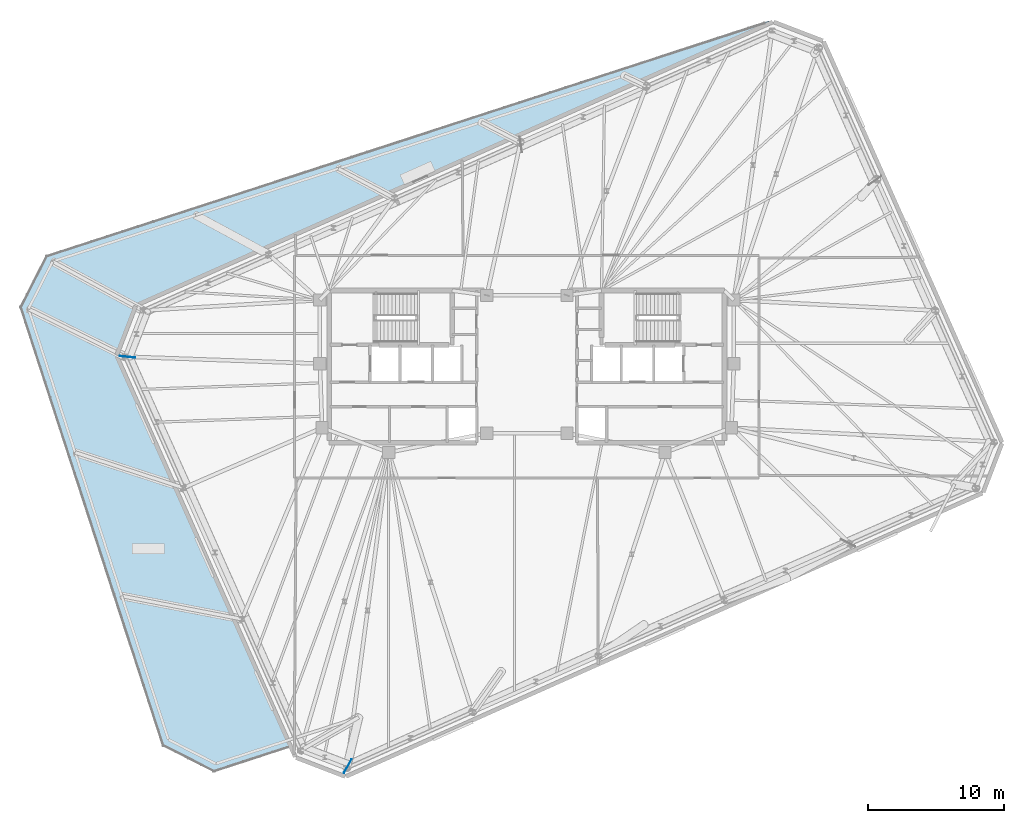
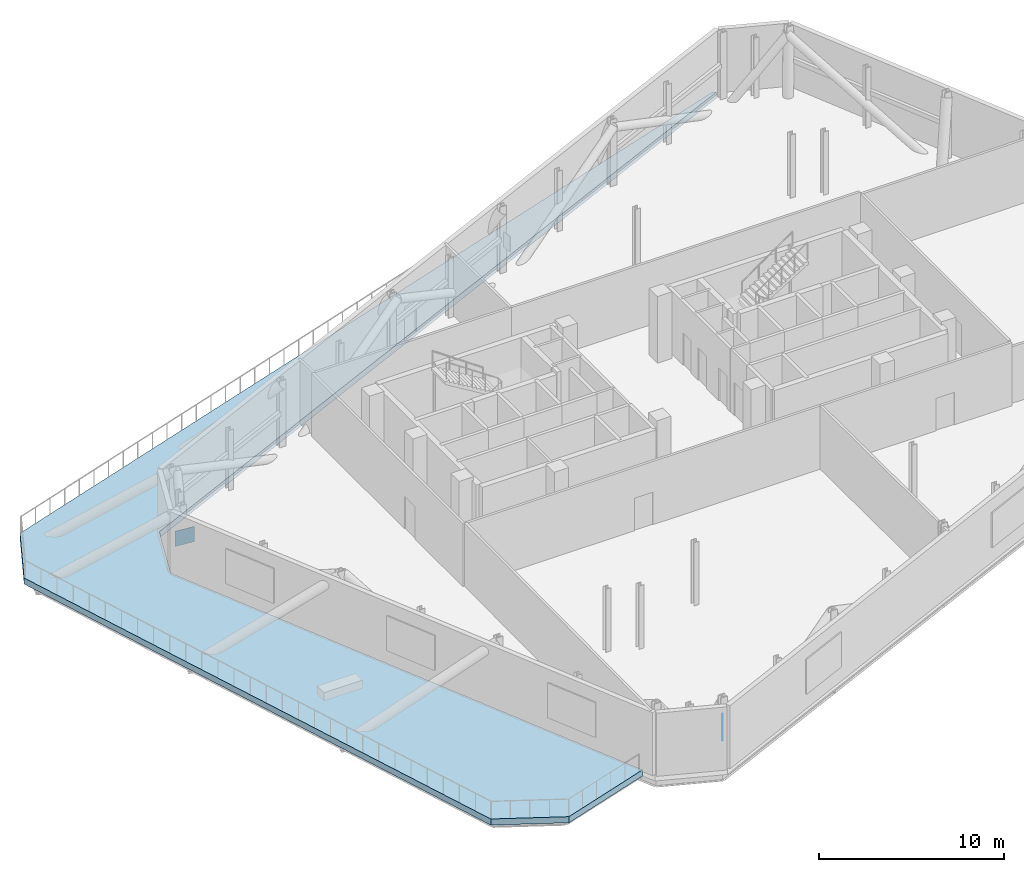
# One storey, part 9 of 15: 2 plates, 1 slab.
"""IFC4 building model written with IfcOpenShell, lengths in metres."""

from ifc_helpers import new_model, si_unit, direction, frame, origin, origin_2d, place, context, subcontext, project, spatial, polyline, rectangle, outline, extrude, material, layer, layer_set, type_object, element, save


model = new_model("IFC4")

# Units and contexts
model_context = context("Model", 3, precision=1e-05, world=origin(), true_north=direction((0.0, 1.0)))
body_context = subcontext(model_context, "Body", "Model", "MODEL_VIEW")
ifc_project = project(units=[si_unit("LENGTHUNIT", "METRE"), si_unit("AREAUNIT", "SQUARE_METRE"), si_unit("VOLUMEUNIT", "CUBIC_METRE"), si_unit("PLANEANGLEUNIT", "RADIAN"), si_unit("MASSUNIT", "GRAM", prefix="KILO")], contexts=[model_context])

# Site, building, storey
site_placement = place(None, origin())
site = spatial("IfcSite", under=ifc_project, at=site_placement, CompositionType="ELEMENT")
building_placement = place(site_placement, origin())
building = spatial("IfcBuilding", under=site, at=building_placement, Name="Menara Jurai Vektor", CompositionType="ELEMENT")
storey_placement = place(building_placement, frame((0.0, 0.0, 254.449951171875)))
storey = spatial("IfcBuildingStorey", under=building, at=storey_placement, Name="L68", CompositionType="ELEMENT", Elevation=254.449951171875)

# Plates
ifc_material_1 = material(Name="Steel S460", Category="steel")
ifc_layer_1 = layer(ifc_material_1, 0.031982421875)
ifc_layer_set_1 = layer_set([ifc_layer_1], Name="Steel S460")
plate_type = type_object("IfcPlateType", Name="STR-PLT-GUSSET32", PredefinedType="SHEET", material=ifc_layer_set_1)
for number, where, z_axis, x_axis, name in (
    (1, (-13.194580078125, -29.4296875, 1.699951171875), (0.0, 0.0, 1.0), (0.49969766965, 0.866199883945, 0.0), "Transfer Truss Gusset Plate L68-01"),
    (2, (-29.422607421875, 0.72021484375, 1.699951171875), (0.0, 0.0, 1.0), (0.995210353395, -0.097756598221, 0.0), "Transfer Truss Gusset Plate L68-17"),
):
    element("IfcPlate", number, at=place(storey_placement, frame(where, z_axis=z_axis, x_axis=x_axis)), inside=storey, type_object=plate_type, Name=name, PredefinedType="SHEET", context=body_context, shape_type="SweptSolid", body=[
        extrude(rectangle(XDim=1.14990234375, YDim=0.031982421875, at=origin_2d()), origin(), (0.0, 0.0, 1.0), 1.0),
    ])

# Slab
ifc_material_2 = material(Name="Concrete C40/50", Category="concrete")
ifc_layer_2 = layer(ifc_material_2, 0.280029296875)
ifc_layer_set_2 = layer_set([ifc_layer_2], Name="Concrete C40/50")
slab_type = type_object("IfcSlabType", Name="STR-ROOF-TER280", PredefinedType="ROOF", material=ifc_layer_set_2)
slab_placement = place(storey_placement, frame((0.0, 0.0, -0.405029296875)))
element("IfcSlab", 3, at=slab_placement, inside=storey, type_object=slab_type, Name="Spiral Step Terrace Roof Slab L68", PredefinedType="ROOF", context=body_context, shape_type="SweptSolid", body=[
    extrude(outline(polyline([(-17.384521484375, -28.032958984375), (-30.22509765625, 0.807373046875), (-28.80615234375, 4.504150390625), (18.0556640625, 25.368408203125), (17.84912109375, 25.4736328125), (-35.409912109375, 8.168701171875), (-37.3359375, 4.388427734375), (-26.82958984375, -27.947509765625), (-23.04931640625, -29.87353515625), (-17.384521484375, -28.032958984375)])), origin(), (0.0, 0.0, 1.0), 0.405029296875),
])

save(model, "model.ifc")
